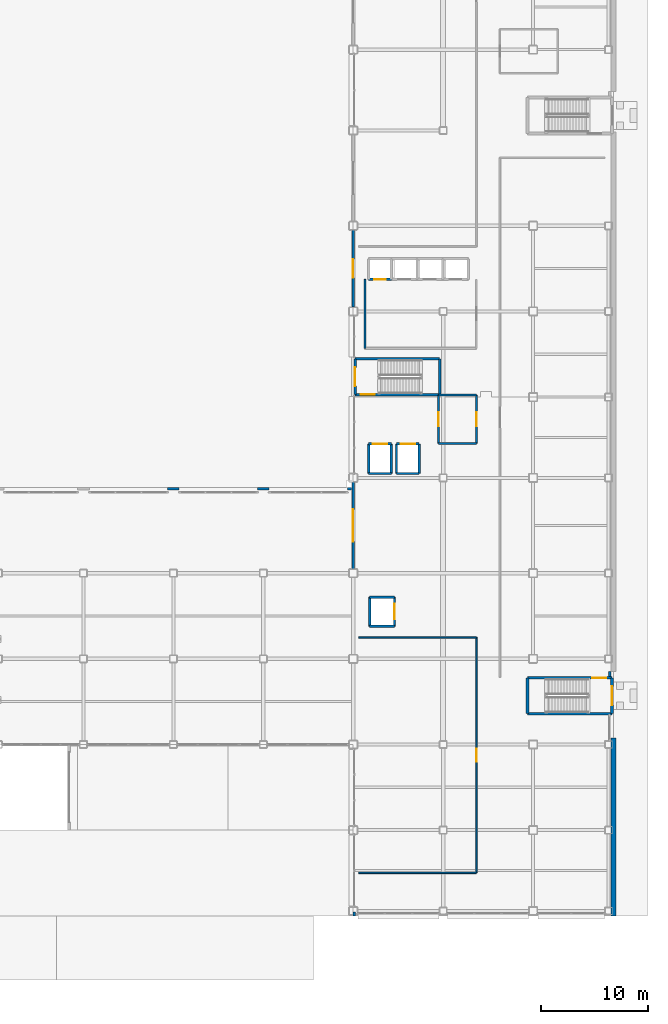
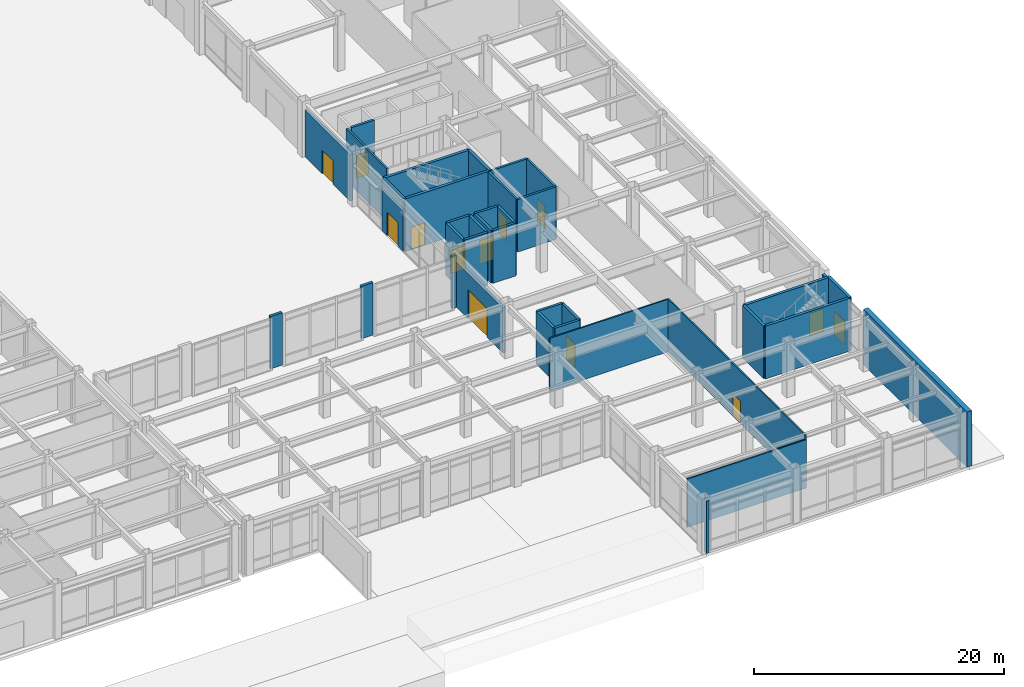
# One storey, part 134 of 165: 37 walls, 13 doors, 13 openings.
"""IFC4 building model written with IfcOpenShell, lengths in metres."""

from ifc_helpers import new_model, si_unit, direction, frame, frame_2d, origin, place, context, subcontext, project, spatial, rectangle, extrude, material, layer, layer_set, type_object, element, fill, save


model = new_model("IFC4")

# Units and contexts
model_context = context("Model", 3, precision=1e-05, world=origin(), true_north=direction((0.0, 1.0)))
body_context = subcontext(model_context, "Body", "Model", "MODEL_VIEW")
ifc_project = project(units=[si_unit("LENGTHUNIT", "METRE"), si_unit("AREAUNIT", "SQUARE_METRE"), si_unit("VOLUMEUNIT", "CUBIC_METRE"), si_unit("PLANEANGLEUNIT", "RADIAN"), si_unit("MASSUNIT", "GRAM", prefix="KILO")], contexts=[model_context])

# Site, building, storey
site_placement = place(None, origin())
site = spatial("IfcSite", under=ifc_project, at=site_placement, CompositionType="ELEMENT")
building_placement = place(site_placement, origin())
building = spatial("IfcBuilding", under=site, at=building_placement, Name="Kazehara Bluff Congress Hotel", CompositionType="ELEMENT")
storey_placement = place(building_placement, origin())
storey = spatial("IfcBuildingStorey", under=building, at=storey_placement, Name="L00", CompositionType="ELEMENT", Elevation=0.0)

# Wall, opening, door
ifc_material_1 = material(Name="Concrete C40/50", Category="concrete")
ifc_layer_1 = layer(ifc_material_1, 0.25)
ifc_layer_set_1 = layer_set([ifc_layer_1], Name="Concrete C40/50")
wall_type_1 = type_object("IfcWallType", Name="TP-CW-RC", PredefinedType="SHEAR", material=ifc_layer_set_1)
wall_1_placement = place(storey_placement, frame((167.875, 22.22509765625, 0.0), z_axis=(0.0, 0.0, 1.0), x_axis=(0.0, -1.0, 0.0)))
wall_1 = element("IfcWall", 1, at=wall_1_placement, inside=storey, type_object=wall_type_1, Name="L00 ST-10 core wall near", PredefinedType="SHEAR", context=body_context, shape_type="SweptSolid", body=[
    extrude(rectangle(XDim=3.35009765625, YDim=0.25, at=frame_2d((1.675048828125, 0.0))), origin(), (0.0, 0.0, 1.0), 5.14990234375),
])
opening_1_placement = place(wall_1_placement, frame((0.800048828125, 0.0, 0.0)))
opening_1 = element("IfcOpeningElement", 2, at=opening_1_placement, cuts=wall_1, Name="Opening ED-01", PredefinedType="OPENING", context=body_context, shape_type="SweptSolid", body=[
    extrude(rectangle(XDim=1.75, YDim=2.300048828125, at=frame_2d((0.875, 1.14990234375))), frame((0.0, 0.135009765625, 0.0), z_axis=(0.0, -1.0, 0.0), x_axis=(1.0, 0.0, 0.0)), (0.0, 0.0, 1.0), 0.27001953125),
])
ifc_material_2 = material(Name="Anodised aluminium", Category="aluminium")
door_type_1 = type_object("IfcDoorType", Name="TP-ED-01", OperationType="DOUBLE_DOOR_SINGLE_SWING", PredefinedType="DOOR", material=ifc_material_2)
door_1_placement = place(opening_1_placement, origin())
door_1 = element("IfcDoor", 3, at=door_1_placement, inside=storey, type_object=door_type_1, Name="Escape Stair ST-10 final exit discharge door", OperationType="DOUBLE_DOOR_SINGLE_SWING", OverallHeight=2.300048828125, OverallWidth=1.75, PredefinedType="DOOR", context=body_context, shape_type="SweptSolid", body=[
    extrude(rectangle(XDim=1.75, YDim=2.300048828125, at=frame_2d((0.875, 1.14990234375))), frame((0.0, 0.02490234375, 0.0), z_axis=(0.0, -1.0, 0.0), x_axis=(1.0, 0.0, 0.0)), (0.0, 0.0, 1.0), 0.050048828125),
])
fill(opening_1, door_1)

# Wall
wall_2_placement = place(storey_placement, frame((159.97509765625, 18.875, 0.0), z_axis=(0.0, 0.0, 1.0), x_axis=(0.0, 1.0, 0.0)))
element("IfcWall", 4, at=wall_2_placement, inside=storey, type_object=wall_type_1, Name="L00 ST-10 core wall far", PredefinedType="SHEAR", context=body_context, shape_type="SweptSolid", body=[
    extrude(rectangle(XDim=3.35009765625, YDim=0.25, at=frame_2d((1.675048828125, 0.0))), origin(), (0.0, 0.0, 1.0), 5.14990234375),
])

# Wall, opening, door
wall_3_placement = place(storey_placement, frame((159.97509765625, 22.22509765625, 0.0), z_axis=(0.0, 0.0, 1.0), x_axis=(1.0, 0.0, 0.0)))
wall_3 = element("IfcWall", 5, at=wall_3_placement, inside=storey, type_object=wall_type_1, Name="L00 ST-10 core wall left", PredefinedType="SHEAR", context=body_context, shape_type="SweptSolid", body=[
    extrude(rectangle(XDim=7.89990234375, YDim=0.25, at=frame_2d((3.949951171875, 0.0))), origin(), (0.0, 0.0, 1.0), 5.14990234375),
])
opening_2_placement = place(wall_3_placement, frame((6.074951171875, 0.0, 0.0)))
opening_2 = element("IfcOpeningElement", 6, at=opening_2_placement, cuts=wall_3, Name="Opening FD-01", PredefinedType="OPENING", context=body_context, shape_type="SweptSolid", body=[
    extrude(rectangle(XDim=1.300048828125, YDim=2.199951171875, at=frame_2d((0.64990234375, 1.10009765625))), frame((0.0, 0.135009765625, 0.0), z_axis=(0.0, -1.0, 0.0), x_axis=(1.0, 0.0, 0.0)), (0.0, 0.0, 1.0), 0.27001953125),
])
ifc_material_3 = material(Name="Fire-rated painted steel leaf", Category="steel")
door_type_2 = type_object("IfcDoorType", Name="TP-FD-01", OperationType="NOTDEFINED", PredefinedType="DOOR", material=ifc_material_3)
door_2_placement = place(opening_2_placement, origin())
door_2 = element("IfcDoor", 7, at=door_2_placement, inside=storey, type_object=door_type_2, Name="L00 ST-10 fire stair door", OperationType="SINGLE_SWING_RIGHT", OverallHeight=2.199951171875, OverallWidth=1.300048828125, PredefinedType="DOOR", context=body_context, shape_type="SweptSolid", body=[
    extrude(rectangle(XDim=1.300048828125, YDim=2.199951171875, at=frame_2d((0.64990234375, 1.10009765625))), frame((0.0, 0.02490234375, 0.0), z_axis=(0.0, -1.0, 0.0), x_axis=(1.0, 0.0, 0.0)), (0.0, 0.0, 1.0), 0.050048828125),
])
fill(opening_2, door_2)

# Wall
wall_4_placement = place(storey_placement, frame((167.875, 18.875, 0.0), z_axis=(0.0, 0.0, 1.0), x_axis=(-1.0, 0.0, 0.0)))
element("IfcWall", 8, at=wall_4_placement, inside=storey, type_object=wall_type_1, Name="L00 ST-10 core wall right", PredefinedType="SHEAR", context=body_context, shape_type="SweptSolid", body=[
    extrude(rectangle(XDim=7.89990234375, YDim=0.25, at=frame_2d((3.949951171875, 0.0))), origin(), (0.0, 0.0, 1.0), 5.14990234375),
])

# Wall, opening, door
wall_5_placement = place(storey_placement, frame((143.875, 48.675048828125, 0.0), z_axis=(0.0, 0.0, 1.0), x_axis=(0.0, 1.0, 0.0)))
wall_5 = element("IfcWall", 9, at=wall_5_placement, inside=storey, type_object=wall_type_1, Name="L00 ST-11 core wall near", PredefinedType="SHEAR", context=body_context, shape_type="SweptSolid", body=[
    extrude(rectangle(XDim=3.349853515625, YDim=0.25, at=frame_2d((1.6748046875, 0.0))), origin(), (0.0, 0.0, 1.0), 5.14990234375),
])
opening_3_placement = place(wall_5_placement, frame((0.800048828125, 0.0, 0.0)))
opening_3 = element("IfcOpeningElement", 10, at=opening_3_placement, cuts=wall_5, Name="Opening ED-01", PredefinedType="OPENING", context=body_context, shape_type="SweptSolid", body=[
    extrude(rectangle(XDim=1.75, YDim=2.300048828125, at=frame_2d((0.875, 1.14990234375))), frame((0.0, 0.135009765625, 0.0), z_axis=(0.0, -1.0, 0.0), x_axis=(1.0, 0.0, 0.0)), (0.0, 0.0, 1.0), 0.27001953125),
])
door_3_placement = place(opening_3_placement, origin())
door_3 = element("IfcDoor", 11, at=door_3_placement, inside=storey, type_object=door_type_1, Name="Escape Stair ST-11 final exit discharge door", OperationType="DOUBLE_DOOR_SINGLE_SWING", OverallHeight=2.300048828125, OverallWidth=1.75, PredefinedType="DOOR", context=body_context, shape_type="SweptSolid", body=[
    extrude(rectangle(XDim=1.75, YDim=2.300048828125, at=frame_2d((0.875, 1.14990234375))), frame((0.0, 0.02490234375, 0.0), z_axis=(0.0, -1.0, 0.0), x_axis=(1.0, 0.0, 0.0)), (0.0, 0.0, 1.0), 0.050048828125),
])
fill(opening_3, door_3)

# Wall
wall_6_placement = place(storey_placement, frame((151.77490234375, 52.02490234375, 0.0), z_axis=(0.0, 0.0, 1.0), x_axis=(0.0, -1.0, 0.0)))
element("IfcWall", 12, at=wall_6_placement, inside=storey, type_object=wall_type_1, Name="L00 ST-11 core wall far", PredefinedType="SHEAR", context=body_context, shape_type="SweptSolid", body=[
    extrude(rectangle(XDim=3.349853515625, YDim=0.25, at=frame_2d((1.6748046875, 0.0))), origin(), (0.0, 0.0, 1.0), 5.14990234375),
])

# Wall, opening, door
wall_7_placement = place(storey_placement, frame((151.77490234375, 48.675048828125, 0.0), z_axis=(0.0, 0.0, 1.0), x_axis=(-1.0, 0.0, 0.0)))
wall_7 = element("IfcWall", 13, at=wall_7_placement, inside=storey, type_object=wall_type_1, Name="L00 ST-11 core wall left", PredefinedType="SHEAR", context=body_context, shape_type="SweptSolid", body=[
    extrude(rectangle(XDim=7.89990234375, YDim=0.25, at=frame_2d((3.949951171875, 0.0))), origin(), (0.0, 0.0, 1.0), 5.14990234375),
])
opening_4_placement = place(wall_7_placement, frame((6.074951171875, 0.0, 0.0)))
opening_4 = element("IfcOpeningElement", 14, at=opening_4_placement, cuts=wall_7, Name="Opening FD-01", PredefinedType="OPENING", context=body_context, shape_type="SweptSolid", body=[
    extrude(rectangle(XDim=1.300048828125, YDim=2.199951171875, at=frame_2d((0.64990234375, 1.10009765625))), frame((0.0, 0.135009765625, 0.0), z_axis=(0.0, -1.0, 0.0), x_axis=(1.0, 0.0, 0.0)), (0.0, 0.0, 1.0), 0.27001953125),
])
door_4_placement = place(opening_4_placement, origin())
door_4 = element("IfcDoor", 15, at=door_4_placement, inside=storey, type_object=door_type_2, Name="L00 ST-11 fire stair door", OperationType="SINGLE_SWING_LEFT", OverallHeight=2.199951171875, OverallWidth=1.300048828125, PredefinedType="DOOR", context=body_context, shape_type="SweptSolid", body=[
    extrude(rectangle(XDim=1.300048828125, YDim=2.199951171875, at=frame_2d((0.64990234375, 1.10009765625))), frame((0.0, 0.02490234375, 0.0), z_axis=(0.0, -1.0, 0.0), x_axis=(1.0, 0.0, 0.0)), (0.0, 0.0, 1.0), 0.050048828125),
])
fill(opening_4, door_4)

# Walls
wall_8_placement = place(storey_placement, frame((143.875, 52.02490234375, 0.0), z_axis=(0.0, 0.0, 1.0), x_axis=(1.0, 0.0, 0.0)))
element("IfcWall", 16, at=wall_8_placement, inside=storey, type_object=wall_type_1, Name="L00 ST-11 core wall right", PredefinedType="SHEAR", context=body_context, shape_type="SweptSolid", body=[
    extrude(rectangle(XDim=7.89990234375, YDim=0.25, at=frame_2d((3.949951171875, 0.0))), origin(), (0.0, 0.0, 1.0), 5.14990234375),
])
ifc_material_4 = material(Name="Precast concrete C40/50", Category="concrete")
ifc_layer_2 = layer(ifc_material_4, 0.239990234375)
ifc_layer_set_2 = layer_set([ifc_layer_2], Name="Precast concrete C40/50")
wall_type_2 = type_object("IfcWallType", Name="TP-EW-240", PredefinedType="SOLIDWALL", material=ifc_layer_set_2)
wall_9_placement = place(storey_placement, frame((167.64990234375, 22.800048828125, 0.0), z_axis=(0.0, 0.0, 1.0), x_axis=(0.0, -1.0, 0.0)))
element("IfcWall", 17, at=wall_9_placement, inside=storey, type_object=wall_type_2, Name="L00 V5 perimeter spandrel pier 547", PredefinedType="SOLIDWALL", context=body_context, shape_type="SweptSolid", body=[
    extrude(rectangle(XDim=0.43994140625, YDim=0.239990234375, at=frame_2d((0.219970703125, 0.0))), origin(), (0.0, 0.0, 1.0), 5.135009765625),
])
wall_10_placement = place(storey_placement, frame((126.35009765625, 39.8798828125, 0.0), z_axis=(0.0, 0.0, 1.0), x_axis=(1.0, 0.0, 0.0)))
element("IfcWall", 18, at=wall_10_placement, inside=storey, type_object=wall_type_2, Name="L00 V5 perimeter spandrel pier 552", PredefinedType="SOLIDWALL", context=body_context, shape_type="SweptSolid", body=[
    extrude(rectangle(XDim=1.099853515625, YDim=0.239990234375, at=frame_2d((0.5498046875, 0.0))), origin(), (0.0, 0.0, 1.0), 5.135009765625),
])
wall_11_placement = place(storey_placement, frame((134.75, 39.8798828125, 0.0), z_axis=(0.0, 0.0, 1.0), x_axis=(1.0, 0.0, 0.0)))
element("IfcWall", 19, at=wall_11_placement, inside=storey, type_object=wall_type_2, Name="L00 V5 perimeter spandrel pier 553", PredefinedType="SOLIDWALL", context=body_context, shape_type="SweptSolid", body=[
    extrude(rectangle(XDim=1.10009765625, YDim=0.239990234375, at=frame_2d((0.550048828125, 0.0))), origin(), (0.0, 0.0, 1.0), 5.135009765625),
])
wall_12_placement = place(storey_placement, frame((143.14990234375, 39.8798828125, 0.0), z_axis=(0.0, 0.0, 1.0), x_axis=(1.0, 0.0, 0.0)))
element("IfcWall", 20, at=wall_12_placement, inside=storey, type_object=wall_type_2, Name="L00 V5 perimeter spandrel pier 554", PredefinedType="SOLIDWALL", context=body_context, shape_type="SweptSolid", body=[
    extrude(rectangle(XDim=0.41015625, YDim=0.239990234375, at=frame_2d((0.205078125, 0.0))), origin(), (0.0, 0.0, 1.0), 5.135009765625),
])
wall_13_placement = place(storey_placement, frame((143.800048828125, 0.0, 0.0), z_axis=(0.0, 0.0, 1.0), x_axis=(0.0, 1.0, 0.0)))
element("IfcWall", 21, at=wall_13_placement, inside=storey, type_object=wall_type_2, Name="L00 V5 perimeter spandrel pier 559", PredefinedType="SOLIDWALL", context=body_context, shape_type="SweptSolid", body=[
    extrude(rectangle(XDim=0.360107421875, YDim=0.239990234375, at=frame_2d((0.18017578125, 0.0))), origin(), (0.0, 0.0, 1.0), 5.135009765625),
])

# Wall, opening, door
ifc_material_5 = material(Name="Precast concrete C40/50", Category="concrete")
ifc_layer_3 = layer(ifc_material_5, 0.260009765625)
ifc_layer_set_3 = layer_set([ifc_layer_3], Name="Precast concrete C40/50")
wall_type_3 = type_object("IfcWallType", Name="TP-EW-260", PredefinedType="SOLIDWALL", material=ifc_layer_set_3)
wall_14_placement = place(storey_placement, frame((143.699951171875, 56.85009765625, 0.0), z_axis=(0.0, 0.0, 1.0), x_axis=(0.0, 1.0, 0.0)))
wall_14 = element("IfcWall", 22, at=wall_14_placement, inside=storey, type_object=wall_type_3, Name="L00 exit host wall EX-V5W", PredefinedType="SOLIDWALL", context=body_context, shape_type="SweptSolid", body=[
    extrude(rectangle(XDim=7.199951171875, YDim=0.260009765625, at=frame_2d((3.60009765625, 0.0))), origin(), (0.0, 0.0, 1.0), 4.574951171875),
])
opening_5_placement = place(wall_14_placement, frame((2.72509765625, 0.0, 0.0)))
opening_5 = element("IfcOpeningElement", 23, at=opening_5_placement, cuts=wall_14, Name="Opening ED-01", PredefinedType="OPENING", context=body_context, shape_type="SweptSolid", body=[
    extrude(rectangle(XDim=1.75, YDim=2.300048828125, at=frame_2d((0.875, 1.14990234375))), frame((0.0, 0.139892578125, 0.0), z_axis=(0.0, -1.0, 0.0), x_axis=(1.0, 0.0, 0.0)), (0.0, 0.0, 1.0), 0.280029296875),
])
door_5_placement = place(opening_5_placement, origin())
door_5 = element("IfcDoor", 24, at=door_5_placement, inside=storey, type_object=door_type_1, Name="Hotel courtyard lift lobby exit door", OperationType="DOUBLE_DOOR_SINGLE_SWING", OverallHeight=2.300048828125, OverallWidth=1.75, PredefinedType="DOOR", context=body_context, shape_type="SweptSolid", body=[
    extrude(rectangle(XDim=1.75, YDim=2.300048828125, at=frame_2d((0.875, 1.14990234375))), frame((0.0, 0.02490234375, 0.0), z_axis=(0.0, -1.0, 0.0), x_axis=(1.0, 0.0, 0.0)), (0.0, 0.0, 1.0), 0.050048828125),
])
fill(opening_5, door_5)

wall_15_placement = place(storey_placement, frame((143.699951171875, 32.39990234375, 0.0), z_axis=(0.0, 0.0, 1.0), x_axis=(0.0, 1.0, 0.0)))
wall_15 = element("IfcWall", 25, at=wall_15_placement, inside=storey, type_object=wall_type_3, Name="L00 exit host wall EX-V5S", PredefinedType="SOLIDWALL", context=body_context, shape_type="SweptSolid", body=[
    extrude(rectangle(XDim=8.10009765625, YDim=0.260009765625, at=frame_2d((4.050048828125, 0.0))), origin(), (0.0, 0.0, 1.0), 4.425048828125),
])
opening_6_placement = place(wall_15_placement, frame((2.550048828125, 0.0, 0.0)))
opening_6 = element("IfcOpeningElement", 26, at=opening_6_placement, cuts=wall_15, Name="Opening ED-06", PredefinedType="OPENING", context=body_context, shape_type="SweptSolid", body=[
    extrude(rectangle(XDim=3.0, YDim=2.800048828125, at=frame_2d((1.5, 1.39990234375))), frame((0.0, 0.139892578125, 0.0), z_axis=(0.0, -1.0, 0.0), x_axis=(1.0, 0.0, 0.0)), (0.0, 0.0, 1.0), 0.280029296875),
])
ifc_material_6 = material(Name="Anodised aluminium", Category="aluminium")
door_type_3 = type_object("IfcDoorType", Name="TP-ED-06", OperationType="DOUBLE_DOOR_SINGLE_SWING", PredefinedType="DOOR", material=ifc_material_6)
door_6_placement = place(opening_6_placement, origin())
door_6 = element("IfcDoor", 27, at=door_6_placement, inside=storey, type_object=door_type_3, Name="All-Day Restaurant courtyard exit door", OperationType="DOUBLE_DOOR_SINGLE_SWING", OverallHeight=2.800048828125, OverallWidth=3.0, PredefinedType="DOOR", context=body_context, shape_type="SweptSolid", body=[
    extrude(rectangle(XDim=3.0, YDim=2.800048828125, at=frame_2d((1.5, 1.39990234375))), frame((0.0, 0.02490234375, 0.0), z_axis=(0.0, -1.0, 0.0), x_axis=(1.0, 0.0, 0.0)), (0.0, 0.0, 1.0), 0.050048828125),
])
fill(opening_6, door_6)

# Walls
ifc_material_7 = material(Name="Concrete C40/50", Category="concrete")
ifc_layer_4 = layer(ifc_material_7, 0.199951171875)
ifc_layer_set_4 = layer_set([ifc_layer_4], Name="Concrete C40/50")
wall_type_4 = type_object("IfcWallType", Name="TP-FW-RC", PredefinedType="SOLIDWALL", material=ifc_layer_set_4)
for number, where, z_axis, x_axis, name in (
    (28, (151.64990234375, 44.10009765625, 0.0), (0.0, 0.0, 1.0), (1.0, 0.0, 0.0), "L00 partition FW-RC 78"),
    (29, (151.64990234375, 48.64990234375, 0.0), (0.0, 0.0, 1.0), (1.0, 0.0, 0.0), "L00 partition FW-RC 79"),
):
    element("IfcWall", number, at=place(storey_placement, frame(where, z_axis=z_axis, x_axis=x_axis)), inside=storey, type_object=wall_type_4, Name=name, PredefinedType="SOLIDWALL", context=body_context, shape_type="SweptSolid", body=[
        extrude(rectangle(XDim=3.550048828125, YDim=0.199951171875, at=frame_2d((1.77490234375, 0.0))), origin(), (0.0, 0.0, 1.0), 5.135009765625),
    ])

# Wall, opening, door
wall_16_placement = place(storey_placement, frame((151.64990234375, 44.10009765625, 0.0), z_axis=(0.0, 0.0, 1.0), x_axis=(0.0, 1.0, 0.0)))
wall_16 = element("IfcWall", 30, at=wall_16_placement, inside=storey, type_object=wall_type_4, Name="L00 partition FW-RC 126", PredefinedType="SOLIDWALL", context=body_context, shape_type="SweptSolid", body=[
    extrude(rectangle(XDim=4.5498046875, YDim=0.199951171875, at=frame_2d((2.27490234375, 0.0))), origin(), (0.0, 0.0, 1.0), 5.135009765625),
])
opening_7_placement = place(wall_16_placement, frame((1.625, 0.0, 0.0)))
opening_7 = element("IfcOpeningElement", 31, at=opening_7_placement, cuts=wall_16, Name="Opening FD-01", PredefinedType="OPENING", context=body_context, shape_type="SweptSolid", body=[
    extrude(rectangle(XDim=1.300048828125, YDim=2.199951171875, at=frame_2d((0.64990234375, 1.10009765625))), frame((0.0, 0.10986328125, 0.0), z_axis=(0.0, -1.0, 0.0), x_axis=(1.0, 0.0, 0.0)), (0.0, 0.0, 1.0), 0.219970703125),
])
door_7_placement = place(opening_7_placement, origin())
door_7 = element("IfcDoor", 32, at=door_7_placement, inside=storey, type_object=door_type_2, Name="L00 Emergency Firefighting Lobby door", OperationType="SINGLE_SWING_LEFT", OverallHeight=2.199951171875, OverallWidth=1.300048828125, PredefinedType="DOOR", context=body_context, shape_type="SweptSolid", body=[
    extrude(rectangle(XDim=1.300048828125, YDim=2.199951171875, at=frame_2d((0.64990234375, 1.10009765625))), frame((0.0, 0.02490234375, 0.0), z_axis=(0.0, -1.0, 0.0), x_axis=(1.0, 0.0, 0.0)), (0.0, 0.0, 1.0), 0.050048828125),
])
fill(opening_7, door_7)

wall_17_placement = place(storey_placement, frame((155.199951171875, 44.10009765625, 0.0), z_axis=(0.0, 0.0, 1.0), x_axis=(0.0, 1.0, 0.0)))
wall_17 = element("IfcWall", 33, at=wall_17_placement, inside=storey, type_object=wall_type_4, Name="L00 partition FW-RC 128", PredefinedType="SOLIDWALL", context=body_context, shape_type="SweptSolid", body=[
    extrude(rectangle(XDim=4.5498046875, YDim=0.199951171875, at=frame_2d((2.27490234375, 0.0))), origin(), (0.0, 0.0, 1.0), 5.135009765625),
])
opening_8_placement = place(wall_17_placement, frame((1.625, 0.0, 0.0)))
opening_8 = element("IfcOpeningElement", 34, at=opening_8_placement, cuts=wall_17, Name="Opening FD-01", PredefinedType="OPENING", context=body_context, shape_type="SweptSolid", body=[
    extrude(rectangle(XDim=1.300048828125, YDim=2.199951171875, at=frame_2d((0.64990234375, 1.10009765625))), frame((0.0, 0.10986328125, 0.0), z_axis=(0.0, -1.0, 0.0), x_axis=(1.0, 0.0, 0.0)), (0.0, 0.0, 1.0), 0.219970703125),
])
door_8_placement = place(opening_8_placement, origin())
door_8 = element("IfcDoor", 35, at=door_8_placement, inside=storey, type_object=door_type_2, Name="L00 Smoke Vestibule Lobby door", OperationType="SINGLE_SWING_RIGHT", OverallHeight=2.199951171875, OverallWidth=1.300048828125, PredefinedType="DOOR", context=body_context, shape_type="SweptSolid", body=[
    extrude(rectangle(XDim=1.300048828125, YDim=2.199951171875, at=frame_2d((0.64990234375, 1.10009765625))), frame((0.0, 0.02490234375, 0.0), z_axis=(0.0, -1.0, 0.0), x_axis=(1.0, 0.0, 0.0)), (0.0, 0.0, 1.0), 0.050048828125),
])
fill(opening_8, door_8)

# Walls
ifc_material_8 = material(Name="Fire-rated gypsum board stud partition")
ifc_layer_5 = layer(ifc_material_8, 0.1298828125)
ifc_layer_set_5 = layer_set([ifc_layer_5], Name="Fire-rated gypsum board stud partition")
wall_type_5 = type_object("IfcWallType", Name="TP-PT-130", PredefinedType="PARTITIONING", material=ifc_layer_set_5)
wall_18_placement = place(storey_placement, frame((144.199951171875, 4.0, 0.0), z_axis=(0.0, 0.0, 1.0), x_axis=(1.0, 0.0, 0.0)))
element("IfcWall", 36, at=wall_18_placement, inside=storey, type_object=wall_type_5, Name="L00 partition PT-130 57", PredefinedType="PARTITIONING", context=body_context, shape_type="SweptSolid", body=[
    extrude(rectangle(XDim=11.0, YDim=0.1298828125, at=frame_2d((5.5, 0.0))), origin(), (0.0, 0.0, 1.0), 4.72509765625),
])
wall_19_placement = place(storey_placement, frame((144.199951171875, 26.0, 0.0), z_axis=(0.0, 0.0, 1.0), x_axis=(1.0, 0.0, 0.0)))
element("IfcWall", 37, at=wall_19_placement, inside=storey, type_object=wall_type_5, Name="L00 partition PT-130 64", PredefinedType="PARTITIONING", context=body_context, shape_type="SweptSolid", body=[
    extrude(rectangle(XDim=11.0, YDim=0.1298828125, at=frame_2d((5.5, 0.0))), origin(), (0.0, 0.0, 1.0), 5.135009765625),
])

# Wall, opening, door
wall_20_placement = place(storey_placement, frame((155.199951171875, 4.0, 0.0), z_axis=(0.0, 0.0, 1.0), x_axis=(0.0, 1.0, 0.0)))
wall_20 = element("IfcWall", 38, at=wall_20_placement, inside=storey, type_object=wall_type_5, Name="L00 partition PT-130 127", PredefinedType="PARTITIONING", context=body_context, shape_type="SweptSolid", body=[
    extrude(rectangle(XDim=22.0, YDim=0.1298828125, at=frame_2d((11.0, 0.0))), origin(), (0.0, 0.0, 1.0), 5.135009765625),
])
opening_9_placement = place(wall_20_placement, frame((10.39990234375, 0.0, 0.0)))
opening_9 = element("IfcOpeningElement", 39, at=opening_9_placement, cuts=wall_20, Name="Opening FD-02", PredefinedType="OPENING", context=body_context, shape_type="SweptSolid", body=[
    extrude(rectangle(XDim=1.199951171875, YDim=2.199951171875, at=frame_2d((0.60009765625, 1.10009765625))), frame((0.0, 0.074951171875, 0.0), z_axis=(0.0, -1.0, 0.0), x_axis=(1.0, 0.0, 0.0)), (0.0, 0.0, 1.0), 0.14990234375),
])
ifc_material_9 = material(Name="Fire-rated painted steel leaf", Category="steel")
door_type_4 = type_object("IfcDoorType", Name="TP-FD-02", OperationType="NOTDEFINED", PredefinedType="DOOR", material=ifc_material_9)
door_9_placement = place(opening_9_placement, origin())
door_9 = element("IfcDoor", 40, at=door_9_placement, inside=storey, type_object=door_type_4, Name="L00 All-Day Restaurant Kitchen door", OperationType="SINGLE_SWING_LEFT", OverallHeight=2.199951171875, OverallWidth=1.199951171875, PredefinedType="DOOR", context=body_context, shape_type="SweptSolid", body=[
    extrude(rectangle(XDim=1.199951171875, YDim=2.199951171875, at=frame_2d((0.60009765625, 1.10009765625))), frame((0.0, 0.02490234375, 0.0), z_axis=(0.0, -1.0, 0.0), x_axis=(1.0, 0.0, 0.0)), (0.0, 0.0, 1.0), 0.050048828125),
])
fill(opening_9, door_9)

# Walls
ifc_material_10 = material(Name="Fire-rated gypsum board stud partition")
ifc_layer_6 = layer(ifc_material_10, 0.169921875)
ifc_layer_set_6 = layer_set([ifc_layer_6], Name="Fire-rated gypsum board stud partition")
wall_type_6 = type_object("IfcWallType", Name="TP-PT-180", PredefinedType="PARTITIONING", material=ifc_layer_set_6)
wall_21_placement = place(storey_placement, frame((144.800048828125, 53.0, 0.0), z_axis=(0.0, 0.0, 1.0), x_axis=(0.0, 1.0, 0.0)))
element("IfcWall", 41, at=wall_21_placement, inside=storey, type_object=wall_type_6, Name="L00 partition PT-180 125", PredefinedType="PARTITIONING", context=body_context, shape_type="SweptSolid", body=[
    extrude(rectangle(XDim=6.449951171875, YDim=0.169921875, at=frame_2d((3.22509765625, 0.0))), origin(), (0.0, 0.0, 1.0), 5.135009765625),
])
ifc_material_11 = material(Name="Concrete C40/50", Category="concrete")
ifc_layer_7 = layer(ifc_material_11, 0.449951171875)
ifc_layer_set_7 = layer_set([ifc_layer_7], Name="Concrete C40/50")
wall_type_7 = type_object("IfcWallType", Name="TP-RW-450", PredefinedType="USERDEFINED", material=ifc_layer_set_7)
wall_22_placement = place(storey_placement, frame((168.0, 0.0, 0.0), z_axis=(0.0, 0.0, 1.0), x_axis=(0.0, 1.0, 0.0)))
element("IfcWall", 42, at=wall_22_placement, inside=storey, type_object=wall_type_7, Name="Bluff street retaining wall 1", ObjectType="RETAININGWALL", PredefinedType="USERDEFINED", context=body_context, shape_type="SweptSolid", body=[
    extrude(rectangle(XDim=16.60009765625, YDim=0.449951171875, at=frame_2d((8.300048828125, 0.0))), origin(), (0.0, 0.0, 1.0), 5.39990234375),
])

# Wall, opening, door
ifc_material_12 = material(Name="Concrete C40/50", Category="concrete")
ifc_layer_8 = layer(ifc_material_12, 0.219970703125)
ifc_layer_set_8 = layer_set([ifc_layer_8], Name="Concrete C40/50")
wall_type_8 = type_object("IfcWallType", Name="TP-SW-RC", PredefinedType="SHEAR", material=ifc_layer_set_8)
wall_23_placement = place(storey_placement, frame((145.139892578125, 44.0849609375, 0.0), z_axis=(0.0, 0.0, 1.0), x_axis=(1.0, 0.0, 0.0)))
wall_23 = element("IfcWall", 43, at=wall_23_placement, inside=storey, type_object=wall_type_8, Name="L00 EL-E1 lift shaft wall +Y", PredefinedType="SHEAR", context=body_context, shape_type="SweptSolid", body=[
    extrude(rectangle(XDim=2.1201171875, YDim=0.219970703125, at=frame_2d((1.06005859375, 0.0))), origin(), (0.0, 0.0, 1.0), 5.14990234375),
])
opening_10_placement = place(wall_23_placement, frame((0.385009765625, 0.0, 0.0)))
opening_10 = element("IfcOpeningElement", 44, at=opening_10_placement, cuts=wall_23, Name="Opening LD-03", PredefinedType="OPENING", context=body_context, shape_type="SweptSolid", body=[
    extrude(rectangle(XDim=1.35009765625, YDim=2.300048828125, at=frame_2d((0.675048828125, 1.14990234375))), frame((0.0, 0.119873046875, 0.0), z_axis=(0.0, -1.0, 0.0), x_axis=(1.0, 0.0, 0.0)), (0.0, 0.0, 1.0), 0.239990234375),
])
ifc_material_13 = material(Name="Fire-rated painted steel leaf", Category="steel")
door_type_5 = type_object("IfcDoorType", Name="TP-LD-03", OperationType="SLIDING_TO_LEFT", PredefinedType="DOOR", material=ifc_material_13)
door_10_placement = place(opening_10_placement, origin())
door_10 = element("IfcDoor", 45, at=door_10_placement, inside=storey, type_object=door_type_5, Name="L00 EL-E1 elevator landing door", OperationType="SLIDING_TO_LEFT", OverallHeight=2.300048828125, OverallWidth=1.35009765625, PredefinedType="DOOR", context=body_context, shape_type="SweptSolid", body=[
    extrude(rectangle(XDim=1.35009765625, YDim=2.300048828125, at=frame_2d((0.675048828125, 1.14990234375))), frame((0.0, 0.02490234375, 0.0), z_axis=(0.0, -1.0, 0.0), x_axis=(1.0, 0.0, 0.0)), (0.0, 0.0, 1.0), 0.050048828125),
])
fill(opening_10, door_10)

# Walls
wall_24_placement = place(storey_placement, frame((145.139892578125, 41.31494140625, 0.0), z_axis=(0.0, 0.0, 1.0), x_axis=(1.0, 0.0, 0.0)))
element("IfcWall", 46, at=wall_24_placement, inside=storey, type_object=wall_type_8, Name="L00 EL-E1 lift shaft wall -Y", PredefinedType="SHEAR", context=body_context, shape_type="SweptSolid", body=[
    extrude(rectangle(XDim=2.1201171875, YDim=0.219970703125, at=frame_2d((1.06005859375, 0.0))), origin(), (0.0, 0.0, 1.0), 5.14990234375),
])
for number, where, z_axis, x_axis, name in (
    (47, (147.260009765625, 41.31494140625, 0.0), (0.0, 0.0, 1.0), (0.0, 1.0, 0.0), "L00 EL-E1 lift shaft wall +X"),
    (48, (145.139892578125, 41.31494140625, 0.0), (0.0, 0.0, 1.0), (0.0, 1.0, 0.0), "L00 EL-E1 lift shaft wall -X"),
):
    element("IfcWall", number, at=place(storey_placement, frame(where, z_axis=z_axis, x_axis=x_axis)), inside=storey, type_object=wall_type_8, Name=name, PredefinedType="SHEAR", context=body_context, shape_type="SweptSolid", body=[
        extrude(rectangle(XDim=2.77001953125, YDim=0.219970703125, at=frame_2d((1.385009765625, 0.0))), origin(), (0.0, 0.0, 1.0), 5.14990234375),
    ])

# Wall, opening, door
wall_25_placement = place(storey_placement, frame((147.739990234375, 44.0849609375, 0.0), z_axis=(0.0, 0.0, 1.0), x_axis=(1.0, 0.0, 0.0)))
wall_25 = element("IfcWall", 49, at=wall_25_placement, inside=storey, type_object=wall_type_8, Name="L00 EL-E2 lift shaft wall +Y", PredefinedType="SHEAR", context=body_context, shape_type="SweptSolid", body=[
    extrude(rectangle(XDim=2.1201171875, YDim=0.219970703125, at=frame_2d((1.06005859375, 0.0))), origin(), (0.0, 0.0, 1.0), 5.14990234375),
])
opening_11_placement = place(wall_25_placement, frame((0.385009765625, 0.0, 0.0)))
opening_11 = element("IfcOpeningElement", 50, at=opening_11_placement, cuts=wall_25, Name="Opening LD-03", PredefinedType="OPENING", context=body_context, shape_type="SweptSolid", body=[
    extrude(rectangle(XDim=1.35009765625, YDim=2.300048828125, at=frame_2d((0.675048828125, 1.14990234375))), frame((0.0, 0.119873046875, 0.0), z_axis=(0.0, -1.0, 0.0), x_axis=(1.0, 0.0, 0.0)), (0.0, 0.0, 1.0), 0.239990234375),
])
door_11_placement = place(opening_11_placement, origin())
door_11 = element("IfcDoor", 51, at=door_11_placement, inside=storey, type_object=door_type_5, Name="L00 EL-E2 elevator landing door", OperationType="SLIDING_TO_LEFT", OverallHeight=2.300048828125, OverallWidth=1.35009765625, PredefinedType="DOOR", context=body_context, shape_type="SweptSolid", body=[
    extrude(rectangle(XDim=1.35009765625, YDim=2.300048828125, at=frame_2d((0.675048828125, 1.14990234375))), frame((0.0, 0.02490234375, 0.0), z_axis=(0.0, -1.0, 0.0), x_axis=(1.0, 0.0, 0.0)), (0.0, 0.0, 1.0), 0.050048828125),
])
fill(opening_11, door_11)

# Walls
wall_26_placement = place(storey_placement, frame((147.739990234375, 41.31494140625, 0.0), z_axis=(0.0, 0.0, 1.0), x_axis=(1.0, 0.0, 0.0)))
element("IfcWall", 52, at=wall_26_placement, inside=storey, type_object=wall_type_8, Name="L00 EL-E2 lift shaft wall -Y", PredefinedType="SHEAR", context=body_context, shape_type="SweptSolid", body=[
    extrude(rectangle(XDim=2.1201171875, YDim=0.219970703125, at=frame_2d((1.06005859375, 0.0))), origin(), (0.0, 0.0, 1.0), 5.14990234375),
])
for number, where, z_axis, x_axis, name in (
    (53, (149.860107421875, 41.31494140625, 0.0), (0.0, 0.0, 1.0), (0.0, 1.0, 0.0), "L00 EL-E2 lift shaft wall +X"),
    (54, (147.739990234375, 41.31494140625, 0.0), (0.0, 0.0, 1.0), (0.0, 1.0, 0.0), "L00 EL-E2 lift shaft wall -X"),
):
    element("IfcWall", number, at=place(storey_placement, frame(where, z_axis=z_axis, x_axis=x_axis)), inside=storey, type_object=wall_type_8, Name=name, PredefinedType="SHEAR", context=body_context, shape_type="SweptSolid", body=[
        extrude(rectangle(XDim=2.77001953125, YDim=0.219970703125, at=frame_2d((1.385009765625, 0.0))), origin(), (0.0, 0.0, 1.0), 5.14990234375),
    ])

# Wall, opening, door
wall_27_placement = place(storey_placement, frame((145.139892578125, 59.43994140625, 0.0), z_axis=(0.0, 0.0, 1.0), x_axis=(1.0, 0.0, 0.0)))
wall_27 = element("IfcWall", 55, at=wall_27_placement, inside=storey, type_object=wall_type_8, Name="L00 EL-P1 lift shaft wall -Y", PredefinedType="SHEAR", context=body_context, shape_type="SweptSolid", body=[
    extrude(rectangle(XDim=2.1201171875, YDim=0.219970703125, at=frame_2d((1.06005859375, 0.0))), origin(), (0.0, 0.0, 1.0), 5.14990234375),
])
opening_12_placement = place(wall_27_placement, frame((0.510009765625, 0.0, 0.0)))
opening_12 = element("IfcOpeningElement", 56, at=opening_12_placement, cuts=wall_27, Name="Opening LD-01", PredefinedType="OPENING", context=body_context, shape_type="SweptSolid", body=[
    extrude(rectangle(XDim=1.10009765625, YDim=2.199951171875, at=frame_2d((0.550048828125, 1.10009765625))), frame((0.0, 0.119873046875, 0.0), z_axis=(0.0, -1.0, 0.0), x_axis=(1.0, 0.0, 0.0)), (0.0, 0.0, 1.0), 0.239990234375),
])
ifc_material_14 = material(Name="Fire-rated painted steel leaf", Category="steel")
door_type_6 = type_object("IfcDoorType", Name="TP-LD-01", OperationType="SLIDING_TO_LEFT", PredefinedType="DOOR", material=ifc_material_14)
door_12_placement = place(opening_12_placement, origin())
door_12 = element("IfcDoor", 57, at=door_12_placement, inside=storey, type_object=door_type_6, Name="L00 EL-P1 elevator landing door", OperationType="SLIDING_TO_LEFT", OverallHeight=2.199951171875, OverallWidth=1.10009765625, PredefinedType="DOOR", context=body_context, shape_type="SweptSolid", body=[
    extrude(rectangle(XDim=1.10009765625, YDim=2.199951171875, at=frame_2d((0.550048828125, 1.10009765625))), frame((0.0, 0.02490234375, 0.0), z_axis=(0.0, -1.0, 0.0), x_axis=(1.0, 0.0, 0.0)), (0.0, 0.0, 1.0), 0.050048828125),
])
fill(opening_12, door_12)

# Walls
for number, where, z_axis, x_axis, name in (
    (58, (145.239990234375, 29.760009765625, 0.0), (0.0, 0.0, 1.0), (1.0, 0.0, 0.0), "L00 EL-S3 lift shaft wall +Y"),
    (59, (145.239990234375, 27.0400390625, 0.0), (0.0, 0.0, 1.0), (1.0, 0.0, 0.0), "L00 EL-S3 lift shaft wall -Y"),
):
    element("IfcWall", number, at=place(storey_placement, frame(where, z_axis=z_axis, x_axis=x_axis)), inside=storey, type_object=wall_type_8, Name=name, PredefinedType="SHEAR", context=body_context, shape_type="SweptSolid", body=[
        extrude(rectangle(XDim=2.320068359375, YDim=0.219970703125, at=frame_2d((1.16015625, 0.0))), origin(), (0.0, 0.0, 1.0), 5.14990234375),
    ])

# Wall, opening, door
wall_28_placement = place(storey_placement, frame((147.56005859375, 27.0400390625, 0.0), z_axis=(0.0, 0.0, 1.0), x_axis=(0.0, 1.0, 0.0)))
wall_28 = element("IfcWall", 60, at=wall_28_placement, inside=storey, type_object=wall_type_8, Name="L00 EL-S3 lift shaft wall +X", PredefinedType="SHEAR", context=body_context, shape_type="SweptSolid", body=[
    extrude(rectangle(XDim=2.719970703125, YDim=0.219970703125, at=frame_2d((1.35986328125, 0.0))), origin(), (0.0, 0.0, 1.0), 5.14990234375),
])
opening_13_placement = place(wall_28_placement, frame((0.635009765625, 0.0, 0.0)))
opening_13 = element("IfcOpeningElement", 61, at=opening_13_placement, cuts=wall_28, Name="Opening LD-04", PredefinedType="OPENING", context=body_context, shape_type="SweptSolid", body=[
    extrude(rectangle(XDim=1.449951171875, YDim=2.35009765625, at=frame_2d((0.72509765625, 1.175048828125))), frame((0.0, 0.119873046875, 0.0), z_axis=(0.0, -1.0, 0.0), x_axis=(1.0, 0.0, 0.0)), (0.0, 0.0, 1.0), 0.239990234375),
])
ifc_material_15 = material(Name="Fire-rated painted steel leaf", Category="steel")
door_type_7 = type_object("IfcDoorType", Name="TP-LD-04", OperationType="SLIDING_TO_LEFT", PredefinedType="DOOR", material=ifc_material_15)
door_13_placement = place(opening_13_placement, origin())
door_13 = element("IfcDoor", 62, at=door_13_placement, inside=storey, type_object=door_type_7, Name="L00 EL-S3 elevator landing door", OperationType="SLIDING_TO_LEFT", OverallHeight=2.35009765625, OverallWidth=1.449951171875, PredefinedType="DOOR", context=body_context, shape_type="SweptSolid", body=[
    extrude(rectangle(XDim=1.449951171875, YDim=2.35009765625, at=frame_2d((0.72509765625, 1.175048828125))), frame((0.0, 0.02490234375, 0.0), z_axis=(0.0, -1.0, 0.0), x_axis=(1.0, 0.0, 0.0)), (0.0, 0.0, 1.0), 0.050048828125),
])
fill(opening_13, door_13)

# Wall
wall_29_placement = place(storey_placement, frame((145.239990234375, 27.0400390625, 0.0), z_axis=(0.0, 0.0, 1.0), x_axis=(0.0, 1.0, 0.0)))
element("IfcWall", 63, at=wall_29_placement, inside=storey, type_object=wall_type_8, Name="L00 EL-S3 lift shaft wall -X", PredefinedType="SHEAR", context=body_context, shape_type="SweptSolid", body=[
    extrude(rectangle(XDim=2.719970703125, YDim=0.219970703125, at=frame_2d((1.35986328125, 0.0))), origin(), (0.0, 0.0, 1.0), 5.14990234375),
])

save(model, "model.ifc")
